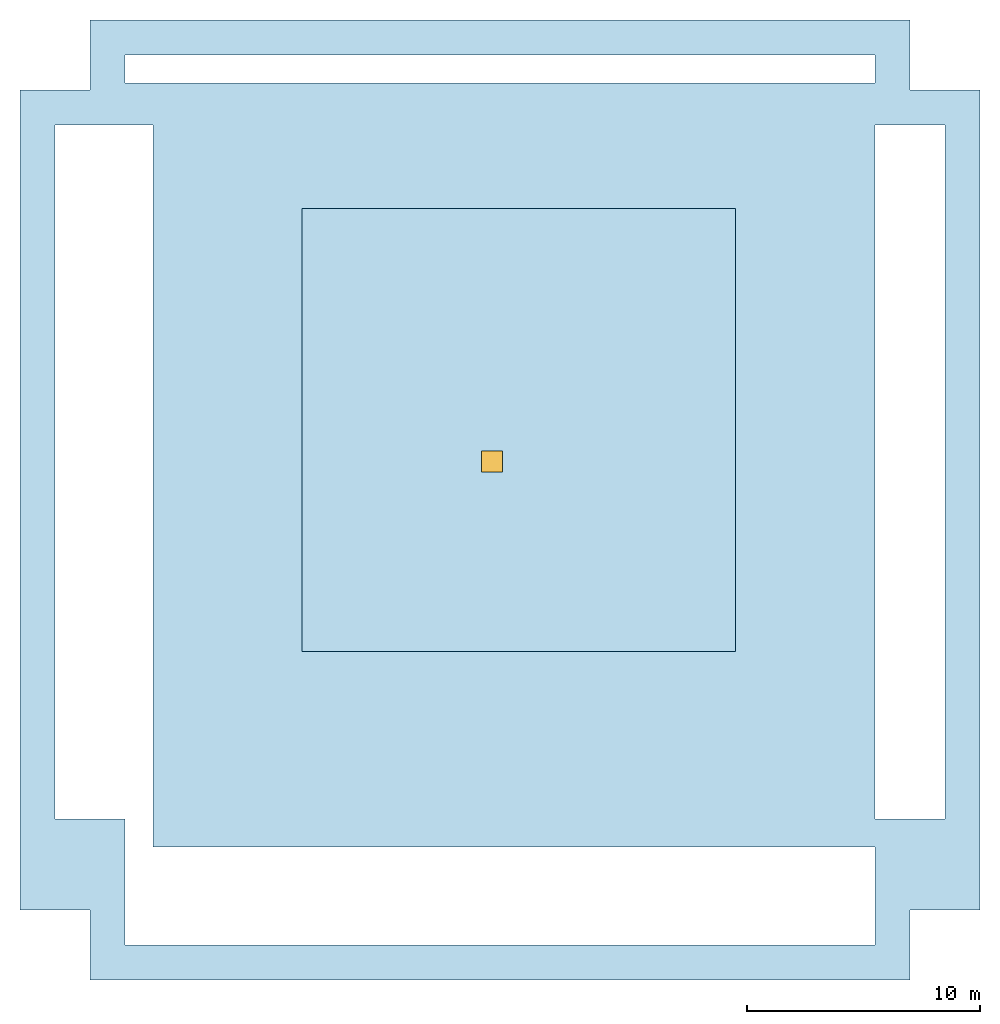
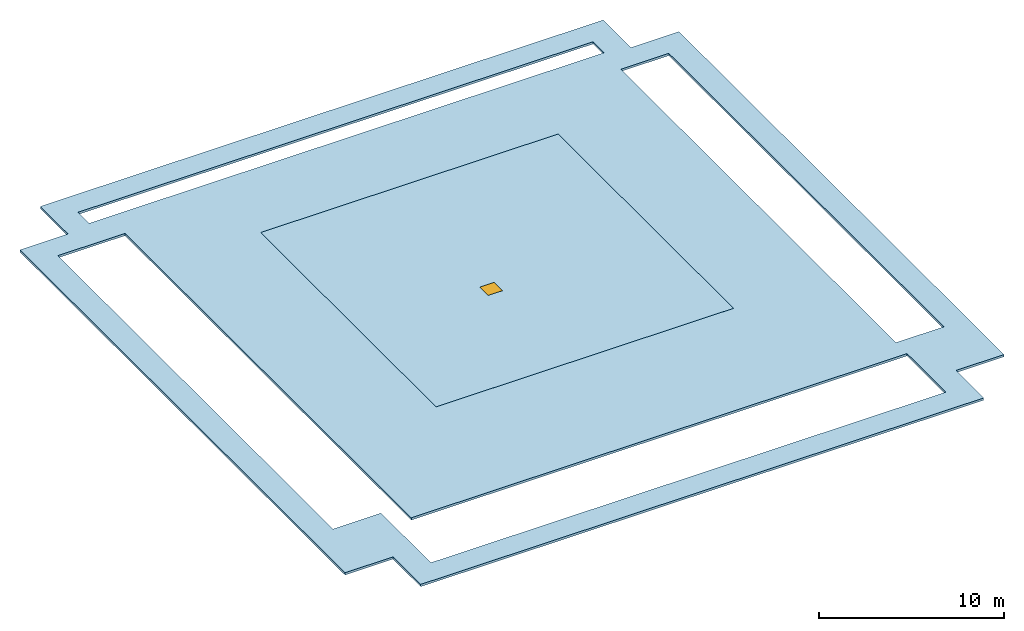
"""IFC4 building model written with IfcOpenShell, lengths in metres."""

import ifcopenshell
import ifcopenshell.guid

model = None  # the IFC model being written
_history = None  # IfcOwnerHistory: only IFC2X3 demands one
_inside = {}  # id of a spatial element -> (the spatial element, [elements in it])
_under = {}  # id of a project, library or spatial element -> (it, [spatial elements below it])
_declared = {}  # id of a project -> (the project, [libraries it declares])
_typed = {}  # id of a type object -> (the type object, [elements of that type])
_made_of = {}  # id of a material, layer set ... -> (it, [elements and type objects made of it])


def new_model(schema):
    """Start an empty IFC model of exactly this schema.

    Asked for "IFC4X3", IfcOpenShell would pick the latest addendum, in which some entities
    have other attributes; the version numbers below select the first issue.
    IFC2X3 requires an IfcOwnerHistory on every rooted entity: one is made here for all.
    """
    global model, _history
    if schema == "IFC4X3":
        model = ifcopenshell.file(schema_version=(4, 3, 0, 0))
    else:
        model = ifcopenshell.file(schema=schema)
    _inside.clear()
    _under.clear()
    _declared.clear()
    _typed.clear()
    _made_of.clear()
    _history = None
    if model.schema == "IFC2X3":
        org = make("IfcOrganization", Name="unknown")
        user = make(
            "IfcPersonAndOrganization",
            ThePerson=make("IfcPerson", FamilyName="unknown"),
            TheOrganization=org,
        )
        app = make(
            "IfcApplication",
            ApplicationDeveloper=org,
            Version="unknown",
            ApplicationFullName="unknown",
            ApplicationIdentifier="unknown",
        )
        _history = make(
            "IfcOwnerHistory",
            OwningUser=user,
            OwningApplication=app,
            ChangeAction="ADDED",
            CreationDate=0,
        )
    return model


def make(cls, **values):
    """One entity of the class cls with the attributes given. An attribute that is None is left unset."""
    return model.create_entity(
        cls, **{name: value for name, value in values.items() if value is not None}
    )


def rooted(cls, **values):
    """An entity with a GlobalId (a new one), such as an element, a storey or a relation."""
    return make(cls, GlobalId=ifcopenshell.guid.new(), OwnerHistory=_history, **values)


def si_unit(unit_type, name, prefix=None):
    """IfcSIUnit, for example si_unit("LENGTHUNIT", "METRE", prefix="MILLI")."""
    return make("IfcSIUnit", UnitType=unit_type, Prefix=prefix, Name=name)


def assignment(units):
    """IfcUnitAssignment: the units of a project."""
    return None if units is None else make("IfcUnitAssignment", Units=units)


def point(xyz):
    """IfcCartesianPoint."""
    return None if xyz is None else make("IfcCartesianPoint", Coordinates=xyz)


def direction(xyz):
    """IfcDirection."""
    return None if xyz is None else make("IfcDirection", DirectionRatios=xyz)


def frame(location, z_axis=None, x_axis=None):
    """IfcAxis2Placement3D, a coordinate frame: its origin and axes. An axis left out is left unset."""
    return make(
        "IfcAxis2Placement3D",
        Location=point(location),
        Axis=direction(z_axis),
        RefDirection=direction(x_axis),
    )


def frame_2d(location, x_axis=None):
    """IfcAxis2Placement2D, a coordinate frame in the plane: its origin and x axis."""
    return make(
        "IfcAxis2Placement2D", Location=point(location), RefDirection=direction(x_axis)
    )


def origin():
    """The frame at (0, 0, 0) with its axes left unset."""
    return frame((0.0, 0.0, 0.0))


def origin_2d():
    """The frame at (0, 0) in the plane with its x axis left unset."""
    return frame_2d((0.0, 0.0))


def place(relative_to, where):
    """IfcLocalPlacement: puts the frame where relative to a parent placement (None: the world)."""
    return make(
        "IfcLocalPlacement", PlacementRelTo=relative_to, RelativePlacement=where
    )


def context(
    kind, dimensions, precision=None, world=None, true_north=None, identifier=None
):
    """IfcGeometricRepresentationContext, for example the 3D "Model" context."""
    return make(
        "IfcGeometricRepresentationContext",
        ContextIdentifier=identifier,
        ContextType=kind,
        CoordinateSpaceDimension=dimensions,
        Precision=precision,
        WorldCoordinateSystem=world,
        TrueNorth=true_north,
    )


def subcontext(parent, identifier, kind, view, scale=None):
    """IfcGeometricRepresentationSubContext, for example "Body" below "Model"."""
    return make(
        "IfcGeometricRepresentationSubContext",
        ContextIdentifier=identifier,
        ContextType=kind,
        ParentContext=parent,
        TargetScale=scale,
        TargetView=view,
    )


def project(units=None, contexts=None):
    """IfcProject with its units and contexts."""
    return rooted(
        "IfcProject",
        Name="project",
        RepresentationContexts=contexts,
        UnitsInContext=assignment(units),
    )


def spatial(cls, under=None, at=None, **own):
    """A site, building, storey or space (cls), placed at a placement, below another one or the project."""
    s = rooted(cls, ObjectPlacement=at, **own)
    if under is not None:
        _under.setdefault(under.id(), (under, []))[1].append(s)
    return s


def polyline(points):
    """IfcPolyline through the points."""
    return make("IfcPolyline", Points=[point(p) for p in points])


def profile(cls, at=None, kind="AREA", **sizes):
    """A parametric profile (cls). Its sizes go by their IFC names, for example OverallWidth=200.0."""
    return make(cls, ProfileType=kind, Position=at, **sizes)


def rectangle(**sizes):
    """IfcRectangleProfileDef."""
    return profile("IfcRectangleProfileDef", **sizes)


def outline(outer, holes=None, kind="AREA"):
    """IfcArbitraryClosedProfileDef: a profile drawn as a closed curve; with holes, ...WithVoids."""
    if holes is None:
        return make("IfcArbitraryClosedProfileDef", ProfileType=kind, OuterCurve=outer)
    return make(
        "IfcArbitraryProfileDefWithVoids",
        ProfileType=kind,
        OuterCurve=outer,
        InnerCurves=holes,
    )


def extrude(swept, where, along, depth):
    """IfcExtrudedAreaSolid: the profile swept, set in the frame where, extruded along a direction by depth."""
    return make(
        "IfcExtrudedAreaSolid",
        SweptArea=swept,
        Position=where,
        ExtrudedDirection=direction(along),
        Depth=depth,
    )


def shape(context_of_items, identifier, shape_type, items):
    """IfcShapeRepresentation: the items that make up one representation, for example the "Body"."""
    return make(
        "IfcShapeRepresentation",
        ContextOfItems=context_of_items,
        RepresentationIdentifier=identifier,
        RepresentationType=shape_type,
        Items=items,
    )


def material(Name=None, Category=None):
    """IfcMaterial."""
    return make("IfcMaterial", Name=Name, Category=Category)


def layer(
    of_material, thickness, ventilated=None, Name=None, Category=None, Priority=None
):
    """IfcMaterialLayer: one layer of a wall or slab, of a material (None: an air gap)."""
    return make(
        "IfcMaterialLayer",
        Material=of_material,
        LayerThickness=thickness,
        IsVentilated=ventilated,
        Name=Name,
        Category=Category,
        Priority=Priority,
    )


def layer_set(layers, Name=None):
    """IfcMaterialLayerSet."""
    return make("IfcMaterialLayerSet", MaterialLayers=layers, LayerSetName=Name)


def made_of(thing, what):
    """Note that an element or type object is made of a material, layer set ...; save() writes the relation."""
    if what is not None:
        _made_of.setdefault(what.id(), (what, []))[1].append(thing)
    return thing


def type_object(cls, material=None, **own):
    """A type object (cls), such as IfcWallType, which elements share."""
    return made_of(rooted(cls, **own), material)


def element(
    cls,
    number,
    at=None,
    inside=None,
    cuts=None,
    type_object=None,
    material=None,
    context=None,
    identifier="Body",
    shape_type=None,
    held_by="IfcProductDefinitionShape",
    body=None,
    shapes=None,
    **own,
):
    """One element of the class cls, such as IfcWall. Its Tag is "e" and its number.

    at: its placement. inside: the storey or other place that contains it. cuts: it is an
    opening in that element (IfcRelVoidsElement). A single representation is given by context,
    identifier, shape_type and body (its items); several are given by shapes. held_by: the class
    of the entity that holds the representations. save() writes the other relations.
    """
    e = rooted(cls, Tag="e%d" % number, ObjectPlacement=at, **own)
    if body is not None:
        shapes = [shape(context, identifier, shape_type, body)]
    if shapes is not None:
        e.Representation = make(held_by, Representations=shapes)
    if inside is not None:
        _inside.setdefault(inside.id(), (inside, []))[1].append(e)
    if cuts is not None:
        rooted(
            "IfcRelVoidsElement", RelatingBuildingElement=cuts, RelatedOpeningElement=e
        )
    if type_object is not None:
        _typed.setdefault(type_object.id(), (type_object, []))[1].append(e)
    return made_of(e, material)


def fill(opening, filler):
    """IfcRelFillsElement: the door or window that sits in an opening."""
    return rooted(
        "IfcRelFillsElement",
        RelatingOpeningElement=opening,
        RelatedBuildingElement=filler,
    )


def aggregate(whole, parts):
    """IfcRelAggregates: a whole, such as a stair, and the parts it consists of."""
    return rooted("IfcRelAggregates", RelatingObject=whole, RelatedObjects=parts)


def save(model, path):
    """Write the relations noted so far, then the file.

    IfcRelAggregates (storeys below a building ...), IfcRelContainedInSpatialStructure (elements
    in a storey), IfcRelDefinesByType, IfcRelAssociatesMaterial and IfcRelDeclares: one each for
    every whole, place, type object, material and project.
    """
    for whole, parts in _under.values():
        aggregate(whole, parts)
    for where, things in _inside.values():
        rooted(
            "IfcRelContainedInSpatialStructure",
            RelatedElements=things,
            RelatingStructure=where,
        )
    for kind, things in _typed.values():
        rooted("IfcRelDefinesByType", RelatedObjects=things, RelatingType=kind)
    for what, things in _made_of.values():
        rooted("IfcRelAssociatesMaterial", RelatedObjects=things, RelatingMaterial=what)
    for by, libraries in _declared.values():
        rooted("IfcRelDeclares", RelatingContext=by, RelatedDefinitions=libraries)
    model.write(path)


model = new_model("IFC4")

# Units and contexts
model_context = context("Model", 3, precision=1e-05, world=origin(), true_north=direction((0.0, 1.0)))
body_context = subcontext(model_context, "Body", "Model", "MODEL_VIEW")
ifc_project = project(units=[si_unit("LENGTHUNIT", "METRE"), si_unit("AREAUNIT", "SQUARE_METRE"), si_unit("VOLUMEUNIT", "CUBIC_METRE"), si_unit("PLANEANGLEUNIT", "RADIAN"), si_unit("MASSUNIT", "GRAM", prefix="KILO")], contexts=[model_context])

# Site, building, storey
site_placement = place(None, origin())
site = spatial("IfcSite", under=ifc_project, at=site_placement, CompositionType="ELEMENT")
building_placement = place(site_placement, origin())
building = spatial("IfcBuilding", under=site, at=building_placement, Name="Rimbunsela Tower", CompositionType="ELEMENT")
storey_1_placement = place(building_placement, frame((0.0, 0.0, 308.39990234375)))
storey_1 = spatial("IfcBuildingStorey", under=building, at=storey_1_placement, Name="ROOF", CompositionType="ELEMENT", Elevation=308.39990234375)

# Slab
ifc_material_1 = material(Name="Concrete fc' 35 MPa", Category="concrete")
ifc_layer_1 = layer(ifc_material_1, 0.14990234375)
ifc_layer_set_1 = layer_set([ifc_layer_1], Name="Crown frame canopy roof 150")
slab_type_1 = type_object("IfcSlabType", Name="Crown frame canopy roof 150", PredefinedType="ROOF", material=ifc_layer_set_1)
slab_1_placement = place(storey_1_placement, frame((0.0, 0.0, 0.150146484375)))
element("IfcSlab", 1, at=slab_1_placement, inside=storey_1, type_object=slab_type_1, Name="Sky garden canopy edge", PredefinedType="ROOF", context=body_context, shape_type="SweptSolid", body=[
    extrude(outline(polyline([(5.39990234375, 6.39990234375), (5.39990234375, 41.60009765625), (8.39990234375, 41.60009765625), (8.39990234375, 44.60009765625), (43.60009765625, 44.60009765625), (43.60009765625, 41.60009765625), (46.60009765625, 41.60009765625), (46.60009765625, 6.39990234375), (43.60009765625, 6.39990234375), (43.60009765625, 3.39990234375), (8.39990234375, 3.39990234375), (8.39990234375, 6.39990234375), (5.39990234375, 6.39990234375)]), holes=[polyline([(17.5, 36.5), (17.5, 17.5), (36.10009765625, 17.5), (36.10009765625, 36.5), (17.5, 36.5)]), polyline([(42.10009765625, 9.10009765625), (11.10009765625, 9.10009765625), (11.10009765625, 40.10009765625), (6.89990234375, 40.10009765625), (6.89990234375, 10.300048828125), (9.89990234375, 10.300048828125), (9.89990234375, 4.89990234375), (42.10009765625, 4.89990234375), (42.10009765625, 9.10009765625)]), polyline([(45.10009765625, 10.300048828125), (45.10009765625, 40.10009765625), (42.10009765625, 40.10009765625), (42.10009765625, 10.300048828125), (45.10009765625, 10.300048828125)]), polyline([(9.89990234375, 41.89990234375), (42.10009765625, 41.89990234375), (42.10009765625, 43.10009765625), (9.89990234375, 43.10009765625), (9.89990234375, 41.89990234375)])]), origin(), (0.0, 0.0, 1.0), 0.14990234375),
])

# Slab, opening
ifc_material_2 = material(Name="Concrete fc' 35 MPa", Category="concrete")
ifc_layer_2 = layer(ifc_material_2, 0.300048828125)
ifc_layer_set_2 = layer_set([ifc_layer_2], Name="Roof slab 300")
slab_type_2 = type_object("IfcSlabType", Name="Roof slab 300", PredefinedType="ROOF", material=ifc_layer_set_2)
slab_2_placement = place(storey_1_placement, origin())
slab_2 = element("IfcSlab", 2, at=slab_2_placement, inside=storey_1, type_object=slab_type_2, Name="Maintenance roof RF head house", PredefinedType="ROOF", context=body_context, shape_type="SweptSolid", body=[
    extrude(outline(polyline([(17.5, 17.5), (36.10009765625, 17.5), (36.10009765625, 36.5), (17.5, 36.5), (17.5, 17.5)])), origin(), (0.0, 0.0, 1.0), 0.300048828125),
])
opening_placement = place(slab_2_placement, frame((25.64990234375, 25.64990234375, 0.0)))
opening = element("IfcOpeningElement", 3, at=opening_placement, cuts=slab_2, Name="Opening RH1", PredefinedType="OPENING", context=body_context, shape_type="SweptSolid", body=[
    extrude(rectangle(XDim=0.89990234375, YDim=0.89990234375, at=origin_2d()), origin(), (0.0, 0.0, 1.0), 0.300048828125),
])

# Storey
storey_2_placement = place(building_placement, frame((0.0, 0.0, 304.199951171875)))
storey_2 = spatial("IfcBuildingStorey", under=building, at=storey_2_placement, Name="RF", CompositionType="ELEMENT", Elevation=304.199951171875)

# Door
ifc_material_3 = material(Name="Insulated aluminium roof hatch, U-value 1.2 W/m2K", Category="aluminium")
door_type = type_object("IfcDoorType", Name="Maintenance access hatch 900", OperationType="SINGLE_SWING_LEFT", PredefinedType="TRAPDOOR", material=ifc_material_3)
door_placement = place(opening_placement, frame((0.0, 0.0, 0.25)))
door = element("IfcDoor", 4, at=door_placement, inside=storey_2, type_object=door_type, Name="Maintenance access hatch", OperationType="SINGLE_SWING_LEFT", OverallHeight=0.89990234375, OverallWidth=0.89990234375, PredefinedType="TRAPDOOR", context=body_context, shape_type="SweptSolid", body=[
    extrude(rectangle(XDim=0.89990234375, YDim=0.89990234375, at=origin_2d()), origin(), (0.0, 0.0, 1.0), 0.050048828125),
])

fill(opening, door)

save(model, "model.ifc")
